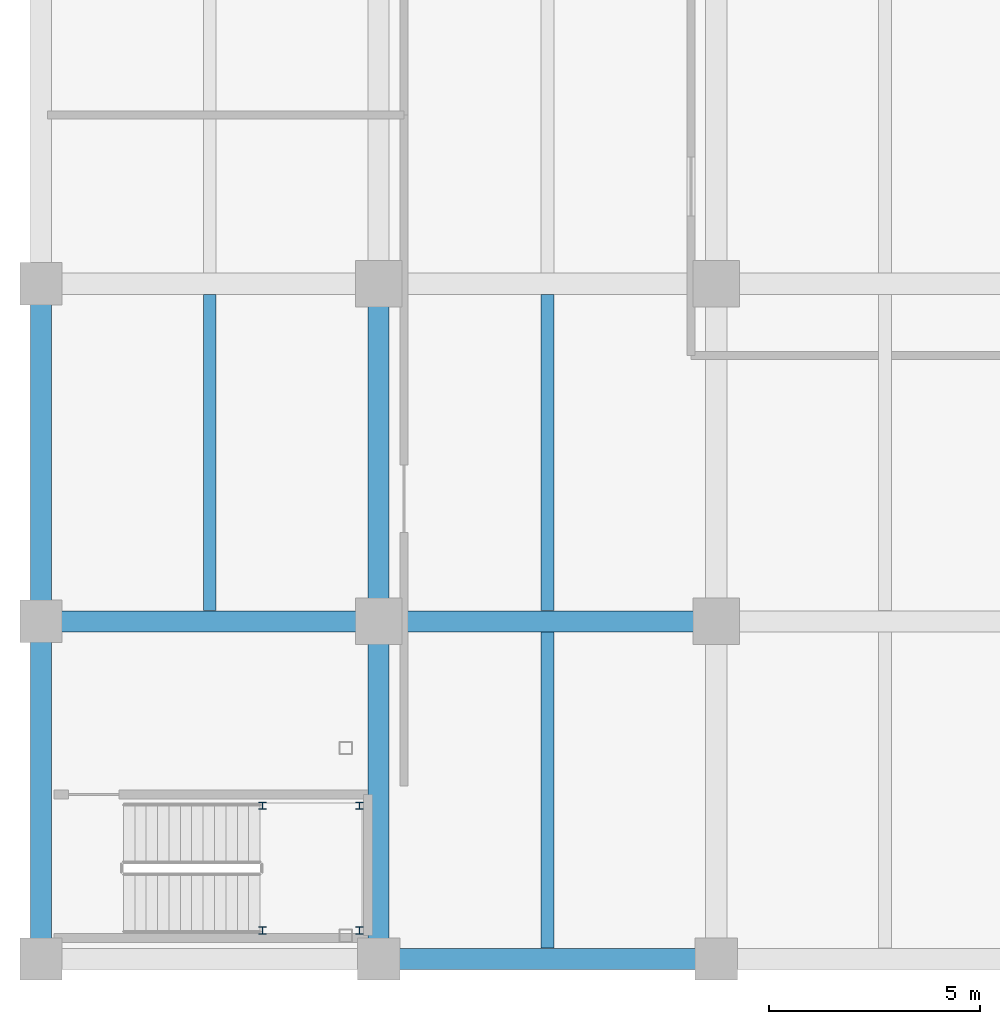
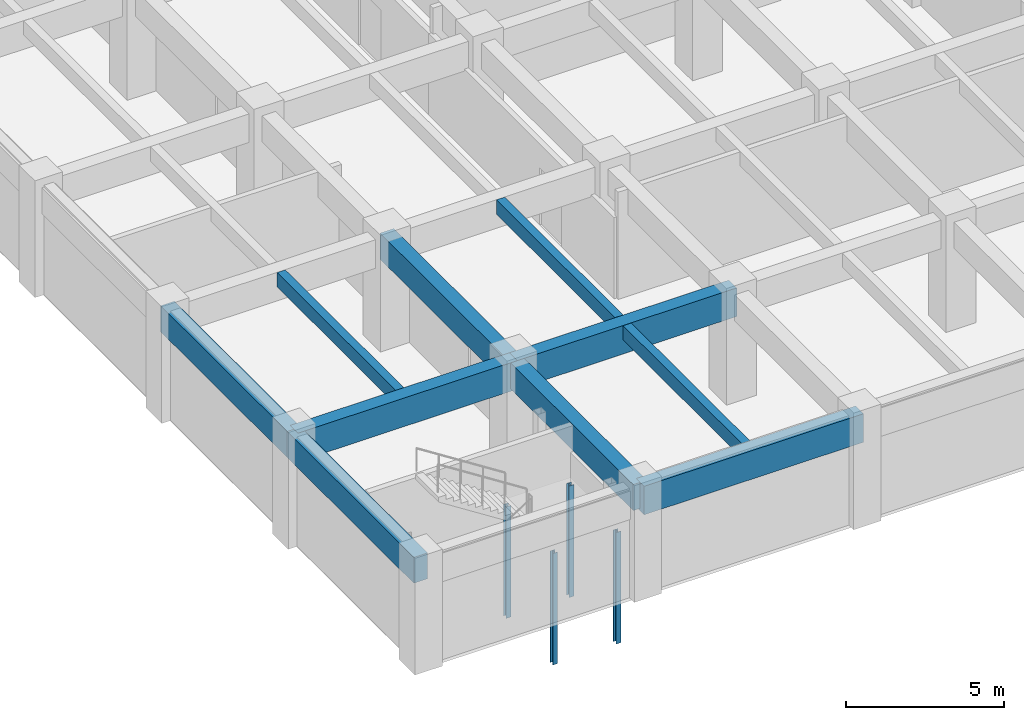
# One storey, part 6 of 16: 10 beams, 4 members.
"""IFC4 building model written with IfcOpenShell, lengths in metres."""

from ifc_helpers import new_model, si_unit, direction, frame, origin, origin_2d, place, context, subcontext, project, spatial, rectangle, i_section, extrude, material, material_profile, profile_set, type_object, element, save


model = new_model("IFC4")

# Units and contexts
model_context = context("Model", 3, precision=1e-05, world=origin(), true_north=direction((0.0, 1.0)))
body_context = subcontext(model_context, "Body", "Model", "MODEL_VIEW")
ifc_project = project(units=[si_unit("LENGTHUNIT", "METRE"), si_unit("AREAUNIT", "SQUARE_METRE"), si_unit("VOLUMEUNIT", "CUBIC_METRE"), si_unit("PLANEANGLEUNIT", "RADIAN"), si_unit("MASSUNIT", "GRAM", prefix="KILO")], contexts=[model_context])

# Site, building, storey
site_placement = place(None, origin())
site = spatial("IfcSite", under=ifc_project, at=site_placement, CompositionType="ELEMENT")
building_placement = place(site_placement, origin())
building = spatial("IfcBuilding", under=site, at=building_placement, Name="Canggui Botanical Conservatory", CompositionType="ELEMENT")
storey_placement = place(building_placement, frame((0.0, 0.0, -4.5)))
storey = spatial("IfcBuildingStorey", under=building, at=storey_placement, Name="B1", CompositionType="ELEMENT", Elevation=-4.5)

# Beams
ifc_material_1 = material(Name="Concrete C35", Category="concrete")
ifc_material_profile_1 = material_profile(ifc_material_1, rectangle(XDim=0.300048828125, YDim=0.550048828125, at=origin_2d()), Name="RB 300x550")
ifc_profile_set_1 = profile_set([ifc_material_profile_1], Name="Concrete C35")
beam_type_1 = type_object("IfcBeamType", Name="BM-JST01", PredefinedType="JOIST", material=ifc_profile_set_1)
for number, where, z_axis, x_axis, name in (
    (1, (126.0, 34.2548828125, 3.875), (0.0, 1.0, 0.0), (-1.0, 0.0, 0.0), "Secondary Floor Joist B1-1-2"),
    (2, (134.0, 26.2548828125, 3.875), (0.0, 1.0, 0.0), (-1.0, 0.0, 0.0), "Secondary Floor Joist B1-2-1"),
    (3, (134.0, 34.2548828125, 3.875), (0.0, 1.0, 0.0), (-1.0, 0.0, 0.0), "Secondary Floor Joist B1-2-2"),
):
    element("IfcBeam", number, at=place(storey_placement, frame(where, z_axis=z_axis, x_axis=x_axis)), inside=storey, type_object=beam_type_1, Name=name, PredefinedType="JOIST", context=body_context, shape_type="SweptSolid", body=[
        extrude(rectangle(XDim=0.300048828125, YDim=0.550048828125, at=origin_2d()), origin(), (0.0, 0.0, 1.0), 7.490234375),
    ])
ifc_material_profile_2 = material_profile(ifc_material_1, rectangle(XDim=0.5, YDim=1.10009765625, at=origin_2d()), Name="RB 500x1100")
ifc_profile_set_2 = profile_set([ifc_material_profile_2], Name="Concrete C35")
beam_type_2 = type_object("IfcBeamType", Name="BM-KL01", PredefinedType="BEAM", material=ifc_profile_set_2)
for number, where, z_axis, x_axis, name in (
    (4, (130.0, 26.0, 3.60009765625), (1.0, 0.0, 0.0), (0.0, 1.0, 0.0), "Frame Girder B1 Y26-2"),
    (5, (122.0, 34.0, 3.60009765625), (1.0, 0.0, 0.0), (0.0, 1.0, 0.0), "Frame Girder B1 Y34-1"),
    (6, (130.0, 34.0, 3.60009765625), (1.0, 0.0, 0.0), (0.0, 1.0, 0.0), "Frame Girder B1 Y34-2"),
):
    element("IfcBeam", number, at=place(storey_placement, frame(where, z_axis=z_axis, x_axis=x_axis)), inside=storey, type_object=beam_type_2, Name=name, PredefinedType="BEAM", context=body_context, shape_type="SweptSolid", body=[
        extrude(rectangle(XDim=0.5, YDim=1.10009765625, at=origin_2d()), origin(), (0.0, 0.0, 1.0), 8.0),
    ])
ifc_material_profile_3 = material_profile(ifc_material_1, rectangle(XDim=0.5, YDim=1.0, at=origin_2d()), Name="RB 500x1000")
ifc_profile_set_3 = profile_set([ifc_material_profile_3], Name="Concrete C35")
beam_type_3 = type_object("IfcBeamType", Name="BM-KL02", PredefinedType="BEAM", material=ifc_profile_set_3)
for number, where, z_axis, x_axis, name in (
    (7, (122.0, 26.0, 3.64990234375), (0.0, 1.0, 0.0), (-1.0, 0.0, 0.0), "Frame Girder B1 X122-1"),
    (8, (122.0, 34.0, 3.64990234375), (0.0, 1.0, 0.0), (-1.0, 0.0, 0.0), "Frame Girder B1 X122-2"),
    (9, (130.0, 26.0, 3.64990234375), (0.0, 1.0, 0.0), (-1.0, 0.0, 0.0), "Frame Girder B1 X130-1"),
    (10, (130.0, 34.0, 3.64990234375), (0.0, 1.0, 0.0), (-1.0, 0.0, 0.0), "Frame Girder B1 X130-2"),
):
    element("IfcBeam", number, at=place(storey_placement, frame(where, z_axis=z_axis, x_axis=x_axis)), inside=storey, type_object=beam_type_3, Name=name, PredefinedType="BEAM", context=body_context, shape_type="SweptSolid", body=[
        extrude(rectangle(XDim=0.5, YDim=1.0, at=origin_2d()), origin(), (0.0, 0.0, 1.0), 8.0),
    ])

# Members
ifc_material_2 = material(Name="Steel Q355B", Category="steel")
ifc_material_profile_4 = material_profile(ifc_material_2, i_section(OverallWidth=0.175048828125, OverallDepth=0.175048828125, WebThickness=0.007568359375, FlangeThickness=0.010986328125, FilletRadius=0.011962890625, at=origin_2d()), Name="HW 175x175x7.5x11")
ifc_profile_set_4 = profile_set([ifc_material_profile_4], Name="Steel Q355B")
member_type = type_object("IfcMemberType", Name="MEM-STR02", PredefinedType="STRINGER", material=ifc_profile_set_4)
for number, where, z_axis, x_axis, name in (
    (11, (127.244873046875, 26.6708984375, -2.25), (0.0, 0.0, 1.0), (1.0, 0.0, 0.0), "ST-G1 Landing Support Post B1-1.1"),
    (12, (129.544921875, 26.6708984375, -2.25), (0.0, 0.0, 1.0), (1.0, 0.0, 0.0), "ST-G1 Landing Support Post B1-1.2"),
    (13, (129.544921875, 29.62890625, -2.25), (0.0, 0.0, 1.0), (1.0, 0.0, 0.0), "ST-G1 Landing Support Post B1-1.3"),
    (14, (127.244873046875, 29.62890625, -2.25), (0.0, 0.0, 1.0), (1.0, 0.0, 0.0), "ST-G1 Landing Support Post B1-1.4"),
):
    element("IfcMember", number, at=place(storey_placement, frame(where, z_axis=z_axis, x_axis=x_axis)), inside=storey, type_object=member_type, Name=name, PredefinedType="POST", context=body_context, shape_type="SweptSolid", body=[
        extrude(i_section(OverallWidth=0.175048828125, OverallDepth=0.175048828125, WebThickness=0.007568359375, FlangeThickness=0.010986328125, FilletRadius=0.011962890625, at=origin_2d()), origin(), (0.0, 0.0, 1.0), 4.300048828125),
    ])

save(model, "model.ifc")
